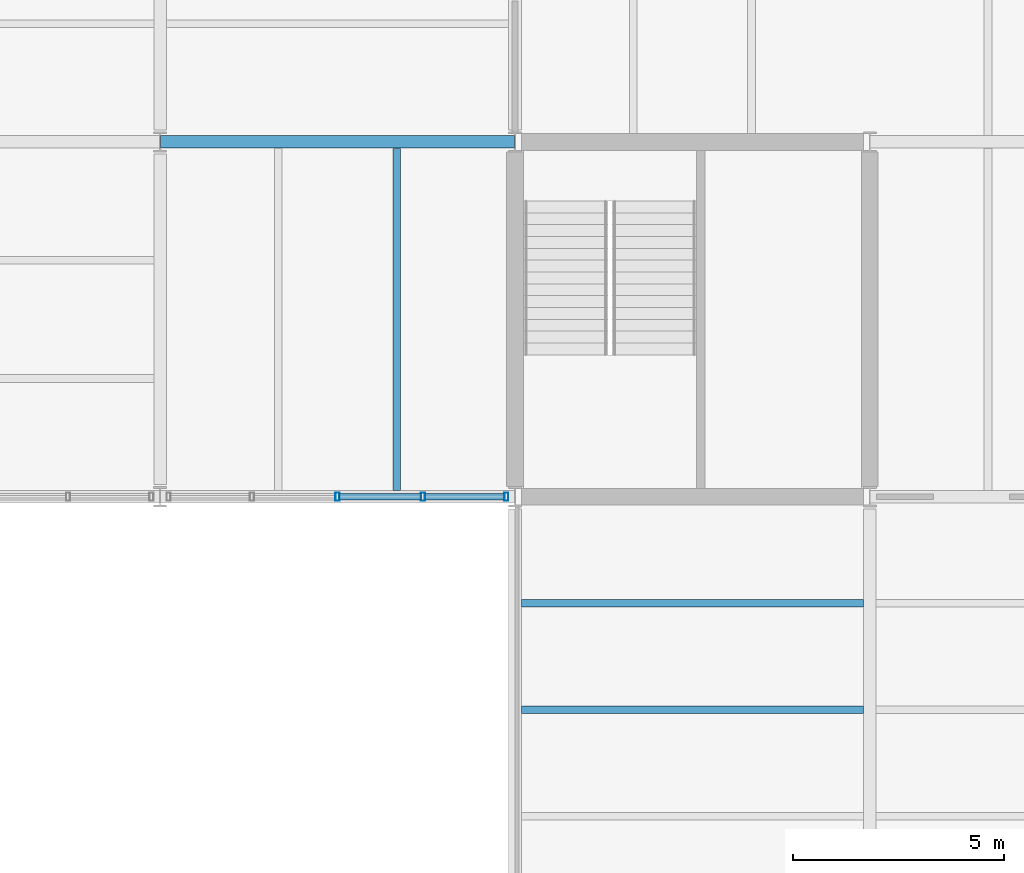
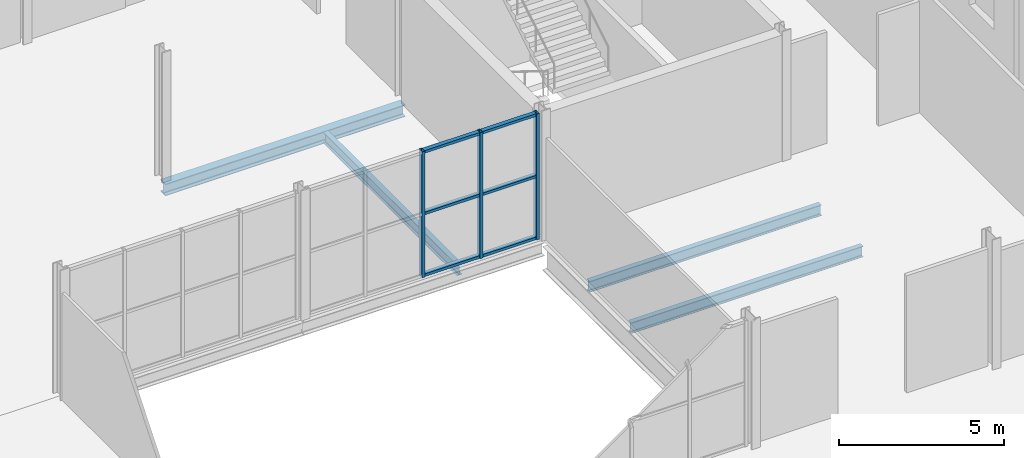
# One storey, part 24 of 52: 9 members, 4 beams, 1 element without a shape of its own.
"""IFC4 building model written with IfcOpenShell, lengths in metres."""

from ifc_helpers import new_model, si_unit, direction, frame, origin, origin_2d, place, context, subcontext, project, spatial, hollow_rectangle, i_section, extrude, material, layer, layer_set, material_profile, profile_set, type_object, element, aggregate, save


model = new_model("IFC4")

# Units and contexts
model_context = context("Model", 3, precision=1e-05, world=origin(), true_north=direction((0.0, 1.0)))
body_context = subcontext(model_context, "Body", "Model", "MODEL_VIEW")
ifc_project = project(units=[si_unit("LENGTHUNIT", "METRE"), si_unit("AREAUNIT", "SQUARE_METRE"), si_unit("VOLUMEUNIT", "CUBIC_METRE"), si_unit("PLANEANGLEUNIT", "RADIAN"), si_unit("MASSUNIT", "GRAM", prefix="KILO")], contexts=[model_context])

# Site, building, storey
site_placement = place(None, origin())
site = spatial("IfcSite", under=ifc_project, at=site_placement, CompositionType="ELEMENT")
building_placement = place(site_placement, origin())
building = spatial("IfcBuilding", under=site, at=building_placement, Name="Galleria Vessillo Department Store", CompositionType="ELEMENT")
storey_placement = place(building_placement, frame((0.0, 0.0, 16.199951171875)))
storey = spatial("IfcBuildingStorey", under=building, at=storey_placement, Name="L03", CompositionType="ELEMENT", Elevation=16.199951171875)

# Beams
ifc_material_1 = material(Name="Steel S355 J2", Category="steel")
ifc_material_profile_1 = material_profile(ifc_material_1, i_section(OverallWidth=0.300048828125, OverallDepth=0.43994140625, WebThickness=0.011474609375, FlangeThickness=0.02099609375, FilletRadius=0.027099609375, at=origin_2d()), Name="HEA 450")
ifc_profile_set_1 = profile_set([ifc_material_profile_1], Name="Steel S355 J2")
beam_type_1 = type_object("IfcBeamType", Name="Floor girder HEA 450", PredefinedType="BEAM", material=ifc_profile_set_1)
beam_placement = place(storey_placement, frame((92.41064453125, 46.199951171875, -0.369873046875), z_axis=(1.0, 0.0, 0.0), x_axis=(0.0, 1.0, 0.0)))
element("IfcBeam", 1, at=beam_placement, inside=storey, type_object=beam_type_1, Name="S-BM-L03-GI-x46200-92411", PredefinedType="BEAM", context=body_context, shape_type="SweptSolid", body=[
    extrude(i_section(OverallWidth=0.300048828125, OverallDepth=0.43994140625, WebThickness=0.011474609375, FlangeThickness=0.02099609375, FilletRadius=0.027099609375, at=origin_2d()), origin(), (0.0, 0.0, 1.0), 8.378662109375),
])
ifc_material_2 = material(Name="Steel S355 J2", Category="steel")
ifc_material_profile_2 = material_profile(ifc_material_2, i_section(OverallWidth=0.179931640625, OverallDepth=0.39990234375, WebThickness=0.008544921875, FlangeThickness=0.013427734375, FilletRadius=0.02099609375, at=origin_2d()), Name="IPE 400")
ifc_profile_set_2 = profile_set([ifc_material_profile_2], Name="Steel S355 J2")
beam_type_2 = type_object("IfcBeamType", Name="Floor joist IPE 400", PredefinedType="JOIST", material=ifc_profile_set_2)
for number, where, z_axis, x_axis, name in (
    (2, (98.0, 37.9501953125, -0.349853515625), (0.0, 1.0, 0.0), (-1.0, 0.0, 0.0), "S-BM-L03-JO-y98000-37950"),
    (3, (100.9501953125, 32.760009765625, -0.349853515625), (1.0, 0.0, 0.0), (0.0, 1.0, 0.0), "S-BM-L03-JO-x32760-100950"),
    (4, (100.9501953125, 35.280029296875, -0.349853515625), (1.0, 0.0, 0.0), (0.0, 1.0, 0.0), "S-BM-L03-JO-x35280-100950"),
):
    element("IfcBeam", number, at=place(storey_placement, frame(where, z_axis=z_axis, x_axis=x_axis)), inside=storey, type_object=beam_type_2, Name=name, PredefinedType="JOIST", context=body_context, shape_type="SweptSolid", body=[
        extrude(i_section(OverallWidth=0.179931640625, OverallDepth=0.39990234375, WebThickness=0.008544921875, FlangeThickness=0.013427734375, FilletRadius=0.02099609375, at=origin_2d()), origin(), (0.0, 0.0, 1.0), 8.099609375),
    ])

# Curtain wall, members
ifc_material_3 = material(Name="Steel and fire-resisting glass curtain wall", Category="steel")
ifc_layer = layer(ifc_material_3, 0.199951171875)
ifc_layer_set = layer_set([ifc_layer], Name="Steel and fire-resisting glass curtain wall")
curtain_wall_type = type_object("IfcCurtainWallType", Name="Arcade fire-resisting glazed shopfront EI 120-Sa", PredefinedType="NOTDEFINED", material=ifc_layer_set)
curtain_wall_placement = place(storey_placement, origin())
curtain_wall = element("IfcCurtainWall", 5, at=curtain_wall_placement, inside=storey, type_object=curtain_wall_type, Name="Arcade fire-resisting glazed shopfront EI 120-Sa AI-AE-N-L03-02", PredefinedType="NOTDEFINED")
ifc_material_4 = material(Name="Steel S355 J2", Category="steel")
ifc_material_profile_3 = material_profile(ifc_material_4, hollow_rectangle(XDim=0.199951171875, YDim=0.10009765625, WallThickness=0.008056640625, at=origin_2d()), Name="RHS 200x100x8")
ifc_profile_set_3 = profile_set([ifc_material_profile_3], Name="Steel S355 J2")
member_type_1 = type_object("IfcMemberType", Name="Steel mullion RHS 200x100x8", PredefinedType="MULLION", material=ifc_profile_set_3)
member_1_placement = place(storey_placement, frame((96.60009765625, 37.800048828125, 0.0), z_axis=(0.0, 0.0, 1.0), x_axis=(0.0, 1.0, 0.0)))
member_1 = element("IfcMember", 6, at=member_1_placement, type_object=member_type_1, Name="CW7 mullion 3", PredefinedType="MULLION", context=body_context, shape_type="SweptSolid", body=[
    extrude(hollow_rectangle(XDim=0.199951171875, YDim=0.10009765625, WallThickness=0.008056640625, at=origin_2d()), origin(), (0.0, 0.0, 1.0), 4.650146484375),
])
member_2_placement = place(storey_placement, frame((98.623291015625, 37.800048828125, 0.0), z_axis=(0.0, 0.0, 1.0), x_axis=(0.0, 1.0, 0.0)))
member_2 = element("IfcMember", 7, at=member_2_placement, type_object=member_type_1, Name="CW7 mullion 4", PredefinedType="MULLION", context=body_context, shape_type="SweptSolid", body=[
    extrude(hollow_rectangle(XDim=0.199951171875, YDim=0.10009765625, WallThickness=0.008056640625, at=origin_2d()), origin(), (0.0, 0.0, 1.0), 4.650146484375),
])
member_3_placement = place(storey_placement, frame((100.596435546875, 37.800048828125, 0.0), z_axis=(0.0, 0.0, 1.0), x_axis=(0.0, 1.0, 0.0)))
member_3 = element("IfcMember", 8, at=member_3_placement, type_object=member_type_1, Name="CW7 mullion 5", PredefinedType="MULLION", context=body_context, shape_type="SweptSolid", body=[
    extrude(hollow_rectangle(XDim=0.199951171875, YDim=0.10009765625, WallThickness=0.008056640625, at=origin_2d()), origin(), (0.0, 0.0, 1.0), 4.650146484375),
])
ifc_material_5 = material(Name="Steel S355 J2", Category="steel")
ifc_material_profile_4 = material_profile(ifc_material_5, hollow_rectangle(XDim=0.14990234375, YDim=0.10009765625, WallThickness=0.008056640625, at=origin_2d()), Name="RHS 150x100x8")
ifc_profile_set_4 = profile_set([ifc_material_profile_4], Name="Steel S355 J2")
member_type_2 = type_object("IfcMemberType", Name="Steel transom RHS 150x100x8", PredefinedType="USERDEFINED", material=ifc_profile_set_4)
member_4_placement = place(storey_placement, frame((96.64990234375, 37.800048828125, 0.050048828125), z_axis=(1.0, 0.0, 0.0), x_axis=(0.0, 1.0, 0.0)))
member_4 = element("IfcMember", 9, at=member_4_placement, type_object=member_type_2, Name="CW7 transom 3.1", ObjectType="TRANSOM", PredefinedType="USERDEFINED", context=body_context, shape_type="SweptSolid", body=[
    extrude(hollow_rectangle(XDim=0.14990234375, YDim=0.10009765625, WallThickness=0.008056640625, at=origin_2d()), origin(), (0.0, 0.0, 1.0), 1.92333984375),
])
member_5_placement = place(storey_placement, frame((96.64990234375, 37.800048828125, 2.324951171875), z_axis=(1.0, 0.0, 0.0), x_axis=(0.0, 1.0, 0.0)))
member_5 = element("IfcMember", 10, at=member_5_placement, type_object=member_type_2, Name="CW7 transom 3.2", ObjectType="TRANSOM", PredefinedType="USERDEFINED", context=body_context, shape_type="SweptSolid", body=[
    extrude(hollow_rectangle(XDim=0.14990234375, YDim=0.10009765625, WallThickness=0.008056640625, at=origin_2d()), origin(), (0.0, 0.0, 1.0), 1.92333984375),
])
member_6_placement = place(storey_placement, frame((96.64990234375, 37.800048828125, 4.60009765625), z_axis=(1.0, 0.0, 0.0), x_axis=(0.0, 1.0, 0.0)))
member_6 = element("IfcMember", 11, at=member_6_placement, type_object=member_type_2, Name="CW7 transom 3.3", ObjectType="TRANSOM", PredefinedType="USERDEFINED", context=body_context, shape_type="SweptSolid", body=[
    extrude(hollow_rectangle(XDim=0.14990234375, YDim=0.10009765625, WallThickness=0.008056640625, at=origin_2d()), origin(), (0.0, 0.0, 1.0), 1.92333984375),
])
member_7_placement = place(storey_placement, frame((98.67333984375, 37.800048828125, 0.050048828125), z_axis=(1.0, 0.0, 0.0), x_axis=(0.0, 1.0, 0.0)))
member_7 = element("IfcMember", 12, at=member_7_placement, type_object=member_type_2, Name="CW7 transom 4.1", ObjectType="TRANSOM", PredefinedType="USERDEFINED", context=body_context, shape_type="SweptSolid", body=[
    extrude(hollow_rectangle(XDim=0.14990234375, YDim=0.10009765625, WallThickness=0.008056640625, at=origin_2d()), origin(), (0.0, 0.0, 1.0), 1.873046875),
])
member_8_placement = place(storey_placement, frame((98.67333984375, 37.800048828125, 2.324951171875), z_axis=(1.0, 0.0, 0.0), x_axis=(0.0, 1.0, 0.0)))
member_8 = element("IfcMember", 13, at=member_8_placement, type_object=member_type_2, Name="CW7 transom 4.2", ObjectType="TRANSOM", PredefinedType="USERDEFINED", context=body_context, shape_type="SweptSolid", body=[
    extrude(hollow_rectangle(XDim=0.14990234375, YDim=0.10009765625, WallThickness=0.008056640625, at=origin_2d()), origin(), (0.0, 0.0, 1.0), 1.873046875),
])
member_9_placement = place(storey_placement, frame((98.67333984375, 37.800048828125, 4.60009765625), z_axis=(1.0, 0.0, 0.0), x_axis=(0.0, 1.0, 0.0)))
member_9 = element("IfcMember", 14, at=member_9_placement, type_object=member_type_2, Name="CW7 transom 4.3", ObjectType="TRANSOM", PredefinedType="USERDEFINED", context=body_context, shape_type="SweptSolid", body=[
    extrude(hollow_rectangle(XDim=0.14990234375, YDim=0.10009765625, WallThickness=0.008056640625, at=origin_2d()), origin(), (0.0, 0.0, 1.0), 1.873046875),
])
aggregate(curtain_wall, [member_1, member_2, member_3, member_4, member_5, member_6, member_7, member_8, member_9])

save(model, "model.ifc")
